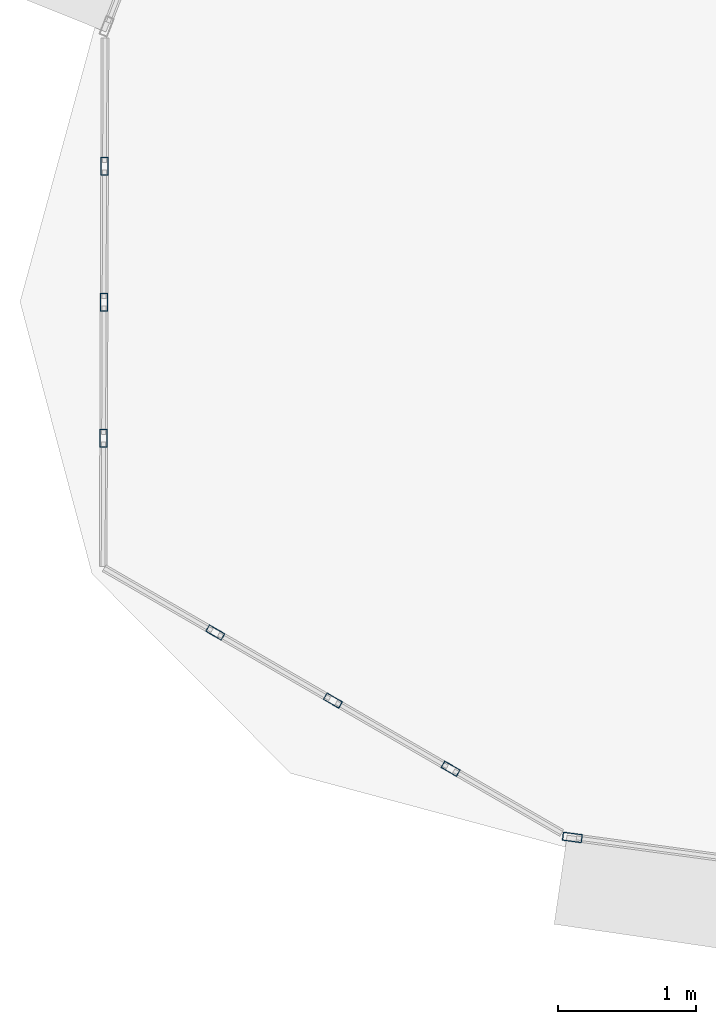
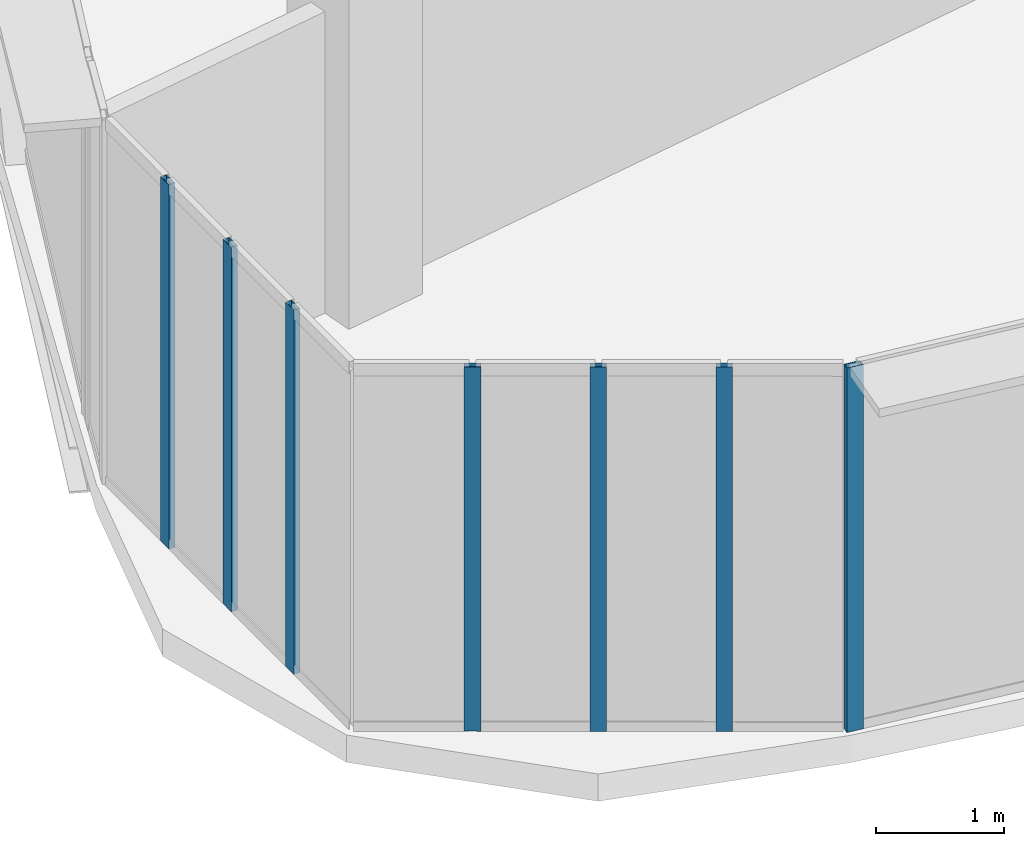
# One storey, part 2 of 40: 7 members, 3 elements without a shape of their own.
"""IFC4 building model written with IfcOpenShell, lengths in metres."""

from ifc_helpers import new_model, si_unit, direction, frame, origin, origin_2d, place, context, subcontext, project, spatial, hollow_rectangle, extrude, source, transform, mapped, material, layer, layer_set, material_profile, profile_set, type_object, element, aggregate, save


model = new_model("IFC4")

# Units and contexts
model_context = context("Model", 3, precision=1e-05, world=origin(), true_north=direction((0.0, 1.0)))
body_context = subcontext(model_context, "Body", "Model", "MODEL_VIEW")
ifc_project = project(units=[si_unit("LENGTHUNIT", "METRE"), si_unit("AREAUNIT", "SQUARE_METRE"), si_unit("VOLUMEUNIT", "CUBIC_METRE"), si_unit("PLANEANGLEUNIT", "RADIAN"), si_unit("MASSUNIT", "GRAM", prefix="KILO"), si_unit("THERMODYNAMICTEMPERATUREUNIT", "KELVIN"), si_unit("POWERUNIT", "WATT")], contexts=[model_context])

# Site, building, storey
site_placement = place(None, origin())
site = spatial("IfcSite", under=ifc_project, at=site_placement, CompositionType="ELEMENT")
building_placement = place(site_placement, origin())
building = spatial("IfcBuilding", under=site, at=building_placement, Name="Yunzhuo Pagoda Commons", CompositionType="ELEMENT")
storey_placement = place(building_placement, frame((0.0, 0.0, 292.47998046875)))
storey = spatial("IfcBuildingStorey", under=building, at=storey_placement, Name="L73", CompositionType="ELEMENT", Elevation=292.47998046875)

# Curtain wall, member
ifc_material = material(Name="Anodized aluminium 6063-T6", Category="aluminium")
ifc_layer_1 = layer(ifc_material, 0.139892578125)
ifc_layer_set_1 = layer_set([ifc_layer_1], Name="Anodized aluminium 6063-T6")
curtain_wall_type_1 = type_object("IfcCurtainWallType", Name="CW-HI High-Zone Ribbon Curtain Wall", PredefinedType="NOTDEFINED", material=ifc_layer_set_1)
curtain_wall_1_placement = place(storey_placement, origin())
curtain_wall_1 = element("IfcCurtainWall", 1, at=curtain_wall_1_placement, inside=storey, type_object=curtain_wall_type_1, Name="L73 curtain wall CW-L73-F1B1", PredefinedType="NOTDEFINED")
ifc_material_profile_1 = material_profile(ifc_material, hollow_rectangle(XDim=0.06005859375, YDim=0.139892578125, WallThickness=0.00341796875, at=origin_2d()), Name="Anodized aluminium 6063-T6")
ifc_profile_set_1 = profile_set([ifc_material_profile_1], Name="Anodized aluminium 6063-T6")
member_type_1 = type_object("IfcMemberType", Name="CW-HI-M Mullion RHS 140x60x3.5", PredefinedType="MULLION", material=ifc_profile_set_1)
shared_shape_1 = source(origin(), body_context, "Body", "SweptSolid", [
    extrude(hollow_rectangle(XDim=0.06005859375, YDim=0.139892578125, WallThickness=0.00341796875, at=origin_2d()), origin(), (0.0, 0.0, 1.0), 3.4697265625),
])
member_1_placement = place(storey_placement, frame((19.729736328125, 21.540283203125, 0.000244140625), z_axis=(0.0, 0.0, 1.0), x_axis=(0.134853980826, 0.99086548222, 0.0)))
member_1 = element("IfcMember", 2, at=member_1_placement, type_object=member_type_1, Name="CW mullion 1", PredefinedType="MULLION", context=body_context, shape_type="MappedRepresentation", body=[
    mapped(shared_shape_1, transform((0.0, 0.0, 0.0), scale=1.0)),
])
aggregate(curtain_wall_1, [member_1])

# Curtain wall, members
ifc_layer_2 = layer(ifc_material, 0.1298828125)
ifc_layer_set_2 = layer_set([ifc_layer_2], Name="Anodized aluminium 6063-T6")
curtain_wall_type_2 = type_object("IfcCurtainWallType", Name="CW-VTX Rounded Corner Curtain Wall", PredefinedType="NOTDEFINED", material=ifc_layer_set_2)
curtain_wall_2_placement = place(storey_placement, origin())
curtain_wall_2 = element("IfcCurtainWall", 3, at=curtain_wall_2_placement, inside=storey, type_object=curtain_wall_type_2, Name="L73 curtain wall CW-L73-VTX1S1", PredefinedType="NOTDEFINED")
ifc_material_profile_2 = material_profile(ifc_material, hollow_rectangle(XDim=0.054931640625, YDim=0.1298828125, WallThickness=0.00341796875, at=origin_2d()), Name="Anodized aluminium 6063-T6")
ifc_profile_set_2 = profile_set([ifc_material_profile_2], Name="Anodized aluminium 6063-T6")
member_type_2 = type_object("IfcMemberType", Name="CW-VTX-M Mullion RHS 130x55x3.5", PredefinedType="MULLION", material=ifc_profile_set_2)
shared_shape_2 = source(origin(), body_context, "Body", "SweptSolid", [
    extrude(hollow_rectangle(XDim=0.054931640625, YDim=0.1298828125, WallThickness=0.00341796875, at=origin_2d()), origin(), (0.0, 0.0, 1.0), 3.4697265625),
])
member_2_placement = place(storey_placement, frame((16.351318359375, 26.388427734375, 0.000244140625), z_axis=(0.0, 0.0, 1.0), x_axis=(0.999993556089, -0.003589955472, 0.0)))
member_2 = element("IfcMember", 4, at=member_2_placement, type_object=member_type_2, Name="CW mullion 2", PredefinedType="MULLION", context=body_context, shape_type="MappedRepresentation", body=[
    mapped(shared_shape_2, transform((0.0, 0.0, 0.0), scale=1.0)),
])
member_3_placement = place(storey_placement, frame((16.347900390625, 25.406494140625, 0.000244140625), z_axis=(0.0, 0.0, 1.0), x_axis=(0.999993556089, -0.003589955472, 0.0)))
member_3 = element("IfcMember", 5, at=member_3_placement, type_object=member_type_2, Name="CW mullion 3", PredefinedType="MULLION", context=body_context, shape_type="MappedRepresentation", body=[
    mapped(shared_shape_2, transform((0.0, 0.0, 0.0), scale=1.0)),
])
member_4_placement = place(storey_placement, frame((16.34423828125, 24.4248046875, 0.000244140625), z_axis=(0.0, 0.0, 1.0), x_axis=(0.999993556089, -0.003589955472, 0.0)))
member_4 = element("IfcMember", 6, at=member_4_placement, type_object=member_type_2, Name="CW mullion 4", PredefinedType="MULLION", context=body_context, shape_type="MappedRepresentation", body=[
    mapped(shared_shape_2, transform((0.0, 0.0, 0.0), scale=1.0)),
])
aggregate(curtain_wall_2, [member_2, member_3, member_4])

curtain_wall_3_placement = place(storey_placement, origin())
curtain_wall_3 = element("IfcCurtainWall", 7, at=curtain_wall_3_placement, inside=storey, type_object=curtain_wall_type_2, Name="L73 curtain wall CW-L73-VTX1S2", PredefinedType="NOTDEFINED")
member_5_placement = place(storey_placement, frame((17.150634765625, 23.020263671875, 0.000244140625), z_axis=(0.0, 0.0, 1.0), x_axis=(0.501017201245, 0.86543732532, 0.0)))
member_5 = element("IfcMember", 8, at=member_5_placement, type_object=member_type_2, Name="CW mullion 2", PredefinedType="MULLION", context=body_context, shape_type="MappedRepresentation", body=[
    mapped(shared_shape_2, transform((0.0, 0.0, 0.0), scale=1.0)),
])
member_6_placement = place(storey_placement, frame((18.00048828125, 22.5283203125, 0.000244140625), z_axis=(0.0, 0.0, 1.0), x_axis=(0.501017201245, 0.86543732532, 0.0)))
member_6 = element("IfcMember", 9, at=member_6_placement, type_object=member_type_2, Name="CW mullion 3", PredefinedType="MULLION", context=body_context, shape_type="MappedRepresentation", body=[
    mapped(shared_shape_2, transform((0.0, 0.0, 0.0), scale=1.0)),
])
member_7_placement = place(storey_placement, frame((18.850341796875, 22.036376953125, 0.000244140625), z_axis=(0.0, 0.0, 1.0), x_axis=(0.501017201245, 0.86543732532, 0.0)))
member_7 = element("IfcMember", 10, at=member_7_placement, type_object=member_type_2, Name="CW mullion 4", PredefinedType="MULLION", context=body_context, shape_type="MappedRepresentation", body=[
    mapped(shared_shape_2, transform((0.0, 0.0, 0.0), scale=1.0)),
])
aggregate(curtain_wall_3, [member_5, member_6, member_7])

save(model, "model.ifc")
